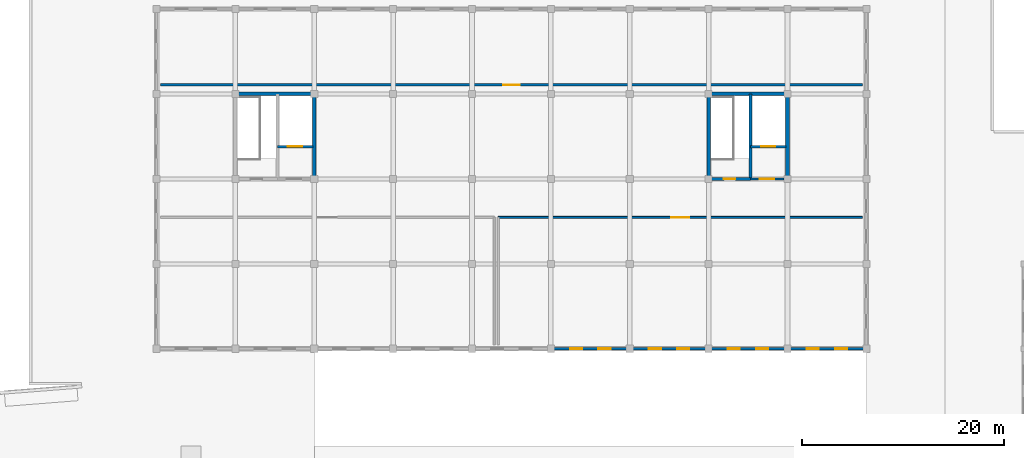
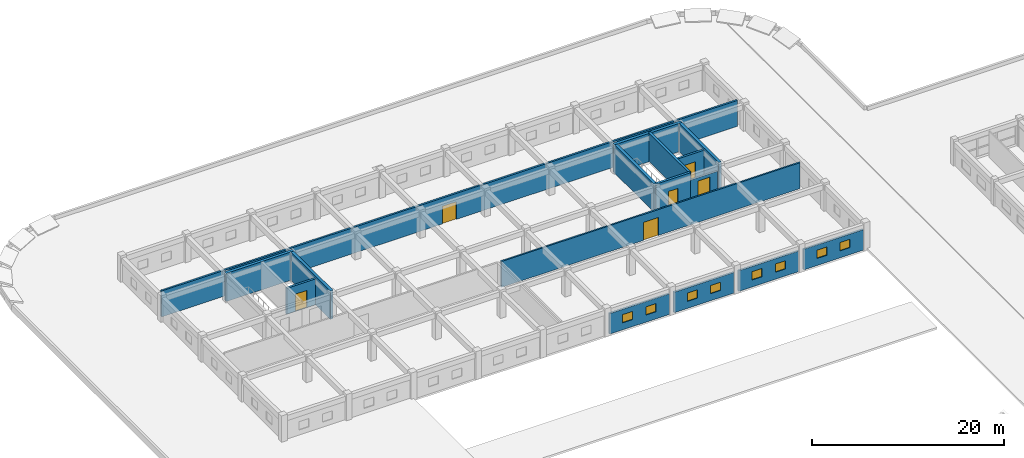
# One storey, part 93 of 101: 16 walls, 8 windows, 6 doors, 14 openings.
"""IFC4 building model written with IfcOpenShell, lengths in metres."""

from ifc_helpers import new_model, si_unit, direction, frame, frame_2d, origin, place, context, subcontext, project, spatial, rectangle, extrude, material, layer, layer_set, type_object, element, fill, save


model = new_model("IFC4")

# Units and contexts
model_context = context("Model", 3, precision=1e-05, world=origin(), true_north=direction((0.0, 1.0)))
body_context = subcontext(model_context, "Body", "Model", "MODEL_VIEW")
ifc_project = project(units=[si_unit("LENGTHUNIT", "METRE"), si_unit("AREAUNIT", "SQUARE_METRE"), si_unit("VOLUMEUNIT", "CUBIC_METRE"), si_unit("PLANEANGLEUNIT", "RADIAN"), si_unit("MASSUNIT", "GRAM", prefix="KILO")], contexts=[model_context])

# Site, building, storey
site_placement = place(None, origin())
site = spatial("IfcSite", under=ifc_project, at=site_placement, CompositionType="ELEMENT")
building_placement = place(site_placement, origin())
building = spatial("IfcBuilding", under=site, at=building_placement, Name="Zizhar Promenade General Hospital", CompositionType="ELEMENT")
storey_placement = place(building_placement, frame((0.0, 0.0, 14.39990234375)))
storey = spatial("IfcBuildingStorey", under=building, at=storey_placement, Name="L03", CompositionType="ELEMENT", Elevation=14.39990234375)

# Wall, openings, windows
ifc_material_1 = material(Name="Precast concrete C40/50", Category="concrete")
ifc_layer_1 = layer(ifc_material_1, 0.22509765625)
ifc_layer_set_1 = layer_set([ifc_layer_1], Name="Precast concrete C40/50")
wall_type_1 = type_object("IfcWallType", Name="EW-INT-225", PredefinedType="STANDARD", material=ifc_layer_set_1)
wall_1_placement = place(storey_placement, frame((101.110107421875, 92.39990234375, 0.0), z_axis=(0.0, 0.0, 1.0), x_axis=(-1.0, 0.0, 0.0)))
wall_1 = element("IfcWall", 1, at=wall_1_placement, inside=storey, type_object=wall_type_1, Name="Surgical Interstitial South Wall 12", PredefinedType="STANDARD", context=body_context, shape_type="SweptSolid", body=[
    extrude(rectangle(XDim=7.22021484375, YDim=0.22509765625, at=frame_2d((3.610107421875, 0.0))), origin(), (0.0, 0.0, 1.0), 2.6201171875),
])
opening_1_placement = place(wall_1_placement, frame((1.606689453125, 0.0, 0.89990234375)))
opening_1 = element("IfcOpeningElement", 2, at=opening_1_placement, cuts=wall_1, Name="Opening W-15", PredefinedType="OPENING", context=body_context, shape_type="SweptSolid", body=[
    extrude(rectangle(XDim=1.199951171875, YDim=1.050048828125, at=frame_2d((0.60009765625, 0.52490234375))), frame((0.0, 0.12255859375, 0.0), z_axis=(0.0, -1.0, 0.0), x_axis=(1.0, 0.0, 0.0)), (0.0, 0.0, 1.0), 0.2451171875),
])
opening_2_placement = place(wall_1_placement, frame((4.413330078125, 0.0, 0.89990234375)))
opening_2 = element("IfcOpeningElement", 3, at=opening_2_placement, cuts=wall_1, Name="Opening W-15", PredefinedType="OPENING", context=body_context, shape_type="SweptSolid", body=[
    extrude(rectangle(XDim=1.199951171875, YDim=1.050048828125, at=frame_2d((0.60009765625, 0.52490234375))), frame((0.0, 0.12255859375, 0.0), z_axis=(0.0, -1.0, 0.0), x_axis=(1.0, 0.0, 0.0)), (0.0, 0.0, 1.0), 0.2451171875),
])
ifc_material_2 = material(Name="Anodised aluminium 6063-T6 and low-E glass", Category="aluminium")
window_type = type_object("IfcWindowType", Name="WIN-INT-120x105", PartitioningType="SINGLE_PANEL", PredefinedType="WINDOW", material=ifc_material_2)
window_1_placement = place(opening_1_placement, origin())
window_1 = element("IfcWindow", 4, at=window_1_placement, inside=storey, type_object=window_type, Name="Surgical Interstitial South Wall 12 Window 1", OverallHeight=1.050048828125, OverallWidth=1.199951171875, PartitioningType="SINGLE_PANEL", PredefinedType="WINDOW", context=body_context, shape_type="SweptSolid", body=[
    extrude(rectangle(XDim=1.199951171875, YDim=1.050048828125, at=frame_2d((0.60009765625, 0.52490234375))), frame((0.0, 0.030029296875, 0.0), z_axis=(0.0, -1.0, 0.0), x_axis=(1.0, 0.0, 0.0)), (0.0, 0.0, 1.0), 0.06005859375),
])
fill(opening_1, window_1)
window_2_placement = place(opening_2_placement, origin())
window_2 = element("IfcWindow", 5, at=window_2_placement, inside=storey, type_object=window_type, Name="Surgical Interstitial South Wall 12 Window 2", OverallHeight=1.050048828125, OverallWidth=1.199951171875, PartitioningType="SINGLE_PANEL", PredefinedType="WINDOW", context=body_context, shape_type="SweptSolid", body=[
    extrude(rectangle(XDim=1.199951171875, YDim=1.050048828125, at=frame_2d((0.60009765625, 0.52490234375))), frame((0.0, 0.030029296875, 0.0), z_axis=(0.0, -1.0, 0.0), x_axis=(1.0, 0.0, 0.0)), (0.0, 0.0, 1.0), 0.06005859375),
])
fill(opening_2, window_2)

wall_2_placement = place(storey_placement, frame((108.909912109375, 92.39990234375, 0.0), z_axis=(0.0, 0.0, 1.0), x_axis=(-1.0, 0.0, 0.0)))
wall_2 = element("IfcWall", 6, at=wall_2_placement, inside=storey, type_object=wall_type_1, Name="Surgical Interstitial South Wall 13", PredefinedType="STANDARD", context=body_context, shape_type="SweptSolid", body=[
    extrude(rectangle(XDim=7.219970703125, YDim=0.22509765625, at=frame_2d((3.60986328125, 0.0))), origin(), (0.0, 0.0, 1.0), 2.6201171875),
])
opening_3_placement = place(wall_2_placement, frame((1.606689453125, 0.0, 0.89990234375)))
opening_3 = element("IfcOpeningElement", 7, at=opening_3_placement, cuts=wall_2, Name="Opening W-15", PredefinedType="OPENING", context=body_context, shape_type="SweptSolid", body=[
    extrude(rectangle(XDim=1.199951171875, YDim=1.050048828125, at=frame_2d((0.60009765625, 0.52490234375))), frame((0.0, 0.12255859375, 0.0), z_axis=(0.0, -1.0, 0.0), x_axis=(1.0, 0.0, 0.0)), (0.0, 0.0, 1.0), 0.2451171875),
])
opening_4_placement = place(wall_2_placement, frame((4.413330078125, 0.0, 0.89990234375)))
opening_4 = element("IfcOpeningElement", 8, at=opening_4_placement, cuts=wall_2, Name="Opening W-15", PredefinedType="OPENING", context=body_context, shape_type="SweptSolid", body=[
    extrude(rectangle(XDim=1.199951171875, YDim=1.050048828125, at=frame_2d((0.60009765625, 0.52490234375))), frame((0.0, 0.12255859375, 0.0), z_axis=(0.0, -1.0, 0.0), x_axis=(1.0, 0.0, 0.0)), (0.0, 0.0, 1.0), 0.2451171875),
])
window_3_placement = place(opening_3_placement, origin())
window_3 = element("IfcWindow", 9, at=window_3_placement, inside=storey, type_object=window_type, Name="Surgical Interstitial South Wall 13 Window 1", OverallHeight=1.050048828125, OverallWidth=1.199951171875, PartitioningType="SINGLE_PANEL", PredefinedType="WINDOW", context=body_context, shape_type="SweptSolid", body=[
    extrude(rectangle(XDim=1.199951171875, YDim=1.050048828125, at=frame_2d((0.60009765625, 0.52490234375))), frame((0.0, 0.030029296875, 0.0), z_axis=(0.0, -1.0, 0.0), x_axis=(1.0, 0.0, 0.0)), (0.0, 0.0, 1.0), 0.06005859375),
])
fill(opening_3, window_3)
window_4_placement = place(opening_4_placement, origin())
window_4 = element("IfcWindow", 10, at=window_4_placement, inside=storey, type_object=window_type, Name="Surgical Interstitial South Wall 13 Window 2", OverallHeight=1.050048828125, OverallWidth=1.199951171875, PartitioningType="SINGLE_PANEL", PredefinedType="WINDOW", context=body_context, shape_type="SweptSolid", body=[
    extrude(rectangle(XDim=1.199951171875, YDim=1.050048828125, at=frame_2d((0.60009765625, 0.52490234375))), frame((0.0, 0.030029296875, 0.0), z_axis=(0.0, -1.0, 0.0), x_axis=(1.0, 0.0, 0.0)), (0.0, 0.0, 1.0), 0.06005859375),
])
fill(opening_4, window_4)

wall_3_placement = place(storey_placement, frame((116.7099609375, 92.39990234375, 0.0), z_axis=(0.0, 0.0, 1.0), x_axis=(-1.0, 0.0, 0.0)))
wall_3 = element("IfcWall", 11, at=wall_3_placement, inside=storey, type_object=wall_type_1, Name="Surgical Interstitial South Wall 14", PredefinedType="STANDARD", context=body_context, shape_type="SweptSolid", body=[
    extrude(rectangle(XDim=7.219970703125, YDim=0.22509765625, at=frame_2d((3.60986328125, 0.0))), origin(), (0.0, 0.0, 1.0), 2.6201171875),
])
opening_5_placement = place(wall_3_placement, frame((1.606689453125, 0.0, 0.89990234375)))
opening_5 = element("IfcOpeningElement", 12, at=opening_5_placement, cuts=wall_3, Name="Opening W-15", PredefinedType="OPENING", context=body_context, shape_type="SweptSolid", body=[
    extrude(rectangle(XDim=1.199951171875, YDim=1.050048828125, at=frame_2d((0.60009765625, 0.52490234375))), frame((0.0, 0.12255859375, 0.0), z_axis=(0.0, -1.0, 0.0), x_axis=(1.0, 0.0, 0.0)), (0.0, 0.0, 1.0), 0.2451171875),
])
opening_6_placement = place(wall_3_placement, frame((4.413330078125, 0.0, 0.89990234375)))
opening_6 = element("IfcOpeningElement", 13, at=opening_6_placement, cuts=wall_3, Name="Opening W-15", PredefinedType="OPENING", context=body_context, shape_type="SweptSolid", body=[
    extrude(rectangle(XDim=1.199951171875, YDim=1.050048828125, at=frame_2d((0.60009765625, 0.52490234375))), frame((0.0, 0.12255859375, 0.0), z_axis=(0.0, -1.0, 0.0), x_axis=(1.0, 0.0, 0.0)), (0.0, 0.0, 1.0), 0.2451171875),
])
window_5_placement = place(opening_5_placement, origin())
window_5 = element("IfcWindow", 14, at=window_5_placement, inside=storey, type_object=window_type, Name="Surgical Interstitial South Wall 14 Window 1", OverallHeight=1.050048828125, OverallWidth=1.199951171875, PartitioningType="SINGLE_PANEL", PredefinedType="WINDOW", context=body_context, shape_type="SweptSolid", body=[
    extrude(rectangle(XDim=1.199951171875, YDim=1.050048828125, at=frame_2d((0.60009765625, 0.52490234375))), frame((0.0, 0.030029296875, 0.0), z_axis=(0.0, -1.0, 0.0), x_axis=(1.0, 0.0, 0.0)), (0.0, 0.0, 1.0), 0.06005859375),
])
fill(opening_5, window_5)
window_6_placement = place(opening_6_placement, origin())
window_6 = element("IfcWindow", 15, at=window_6_placement, inside=storey, type_object=window_type, Name="Surgical Interstitial South Wall 14 Window 2", OverallHeight=1.050048828125, OverallWidth=1.199951171875, PartitioningType="SINGLE_PANEL", PredefinedType="WINDOW", context=body_context, shape_type="SweptSolid", body=[
    extrude(rectangle(XDim=1.199951171875, YDim=1.050048828125, at=frame_2d((0.60009765625, 0.52490234375))), frame((0.0, 0.030029296875, 0.0), z_axis=(0.0, -1.0, 0.0), x_axis=(1.0, 0.0, 0.0)), (0.0, 0.0, 1.0), 0.06005859375),
])
fill(opening_6, window_6)

wall_4_placement = place(storey_placement, frame((124.510009765625, 92.39990234375, 0.0), z_axis=(0.0, 0.0, 1.0), x_axis=(-1.0, 0.0, 0.0)))
wall_4 = element("IfcWall", 16, at=wall_4_placement, inside=storey, type_object=wall_type_1, Name="Surgical Interstitial South Wall 15", PredefinedType="STANDARD", context=body_context, shape_type="SweptSolid", body=[
    extrude(rectangle(XDim=7.219970703125, YDim=0.22509765625, at=frame_2d((3.60986328125, 0.0))), origin(), (0.0, 0.0, 1.0), 2.6201171875),
])
opening_7_placement = place(wall_4_placement, frame((1.606689453125, 0.0, 0.89990234375)))
opening_7 = element("IfcOpeningElement", 17, at=opening_7_placement, cuts=wall_4, Name="Opening W-15", PredefinedType="OPENING", context=body_context, shape_type="SweptSolid", body=[
    extrude(rectangle(XDim=1.199951171875, YDim=1.050048828125, at=frame_2d((0.60009765625, 0.52490234375))), frame((0.0, 0.12255859375, 0.0), z_axis=(0.0, -1.0, 0.0), x_axis=(1.0, 0.0, 0.0)), (0.0, 0.0, 1.0), 0.2451171875),
])
opening_8_placement = place(wall_4_placement, frame((4.413330078125, 0.0, 0.89990234375)))
opening_8 = element("IfcOpeningElement", 18, at=opening_8_placement, cuts=wall_4, Name="Opening W-15", PredefinedType="OPENING", context=body_context, shape_type="SweptSolid", body=[
    extrude(rectangle(XDim=1.199951171875, YDim=1.050048828125, at=frame_2d((0.60009765625, 0.52490234375))), frame((0.0, 0.12255859375, 0.0), z_axis=(0.0, -1.0, 0.0), x_axis=(1.0, 0.0, 0.0)), (0.0, 0.0, 1.0), 0.2451171875),
])
window_7_placement = place(opening_7_placement, origin())
window_7 = element("IfcWindow", 19, at=window_7_placement, inside=storey, type_object=window_type, Name="Surgical Interstitial South Wall 15 Window 1", OverallHeight=1.050048828125, OverallWidth=1.199951171875, PartitioningType="SINGLE_PANEL", PredefinedType="WINDOW", context=body_context, shape_type="SweptSolid", body=[
    extrude(rectangle(XDim=1.199951171875, YDim=1.050048828125, at=frame_2d((0.60009765625, 0.52490234375))), frame((0.0, 0.030029296875, 0.0), z_axis=(0.0, -1.0, 0.0), x_axis=(1.0, 0.0, 0.0)), (0.0, 0.0, 1.0), 0.06005859375),
])
fill(opening_7, window_7)
window_8_placement = place(opening_8_placement, origin())
window_8 = element("IfcWindow", 20, at=window_8_placement, inside=storey, type_object=window_type, Name="Surgical Interstitial South Wall 15 Window 2", OverallHeight=1.050048828125, OverallWidth=1.199951171875, PartitioningType="SINGLE_PANEL", PredefinedType="WINDOW", context=body_context, shape_type="SweptSolid", body=[
    extrude(rectangle(XDim=1.199951171875, YDim=1.050048828125, at=frame_2d((0.60009765625, 0.52490234375))), frame((0.0, 0.030029296875, 0.0), z_axis=(0.0, -1.0, 0.0), x_axis=(1.0, 0.0, 0.0)), (0.0, 0.0, 1.0), 0.06005859375),
])
fill(opening_8, window_8)

# Wall, opening, door
ifc_material_3 = material(Name="Concrete C35/45", Category="concrete")
ifc_layer_2 = layer(ifc_material_3, 0.215087890625)
ifc_layer_set_2 = layer_set([ifc_layer_2], Name="Concrete C35/45")
wall_type_2 = type_object("IfcWallType", Name="IW-LOBBY-215", PredefinedType="STANDARD", material=ifc_layer_set_2)
wall_5_placement = place(storey_placement, frame((113.35009765625, 109.199951171875, 0.0), z_axis=(0.0, 0.0, 1.0), x_axis=(1.0, 0.0, 0.0)))
wall_5 = element("IfcWall", 21, at=wall_5_placement, inside=storey, type_object=wall_type_2, Name="Core C7 Lift Lobby South Fire Wall (L03)", PredefinedType="STANDARD", context=body_context, shape_type="SweptSolid", body=[
    extrude(rectangle(XDim=3.289794921875, YDim=0.215087890625, at=frame_2d((1.64501953125, 0.0))), origin(), (0.0, 0.0, 1.0), 2.6201171875),
])
opening_9_placement = place(wall_5_placement, frame((0.925048828125, 0.0, 0.0)))
opening_9 = element("IfcOpeningElement", 22, at=opening_9_placement, cuts=wall_5, Name="Opening D-23", PredefinedType="OPENING", context=body_context, shape_type="SweptSolid", body=[
    extrude(rectangle(XDim=1.43994140625, YDim=2.199951171875, at=frame_2d((0.719970703125, 1.10009765625))), frame((0.0, 0.11767578125, 0.0), z_axis=(0.0, -1.0, 0.0), x_axis=(1.0, 0.0, 0.0)), (0.0, 0.0, 1.0), 0.235107421875),
])
ifc_material_4 = material(Name="Fire-rated timber lift lobby pair", Category="wood")
door_type_1 = type_object("IfcDoorType", Name="DR-LOBBY-PR-144x220", OperationType="DOUBLE_DOOR_SINGLE_SWING", PredefinedType="DOOR", material=ifc_material_4)
door_1_placement = place(opening_9_placement, origin())
door_1 = element("IfcDoor", 23, at=door_1_placement, inside=storey, type_object=door_type_1, Name="Core C7 Protected Lift Lobby Door (L03)", OperationType="DOUBLE_DOOR_SINGLE_SWING", OverallHeight=2.199951171875, OverallWidth=1.43994140625, PredefinedType="DOOR", context=body_context, shape_type="SweptSolid", body=[
    extrude(rectangle(XDim=1.43994140625, YDim=2.199951171875, at=frame_2d((0.719970703125, 1.10009765625))), frame((0.0, 0.02490234375, 0.0), z_axis=(0.0, -1.0, 0.0), x_axis=(1.0, 0.0, 0.0)), (0.0, 0.0, 1.0), 0.050048828125),
])
fill(opening_9, door_1)

ifc_material_5 = material(Name="Hygienic cleanroom aluminium-faced gypsum partition", Category="aluminium")
ifc_layer_3 = layer(ifc_material_5, 0.18994140625)
ifc_layer_set_3 = layer_set([ifc_layer_3], Name="Hygienic cleanroom aluminium-faced gypsum partition")
wall_type_3 = type_object("IfcWallType", Name="IW-OR-190", PredefinedType="PARTITIONING", material=ifc_layer_set_3)
wall_6_placement = place(storey_placement, frame((88.39990234375, 105.39990234375, 0.0), z_axis=(0.0, 0.0, 1.0), x_axis=(1.0, 0.0, 0.0)))
wall_6 = element("IfcWall", 24, at=wall_6_placement, inside=storey, type_object=wall_type_3, Name="Operating Theatre HEPA Laminar Air Plant East N Partition", PredefinedType="PARTITIONING", context=body_context, shape_type="SweptSolid", body=[
    extrude(rectangle(XDim=36.0, YDim=0.18994140625, at=frame_2d((18.0, 0.0))), origin(), (0.0, 0.0, 1.0), 3.300048828125),
])
opening_10_placement = place(wall_6_placement, frame((17.10009765625, 0.0, 0.0)))
opening_10 = element("IfcOpeningElement", 25, at=opening_10_placement, cuts=wall_6, Name="Opening D-03", PredefinedType="OPENING", context=body_context, shape_type="SweptSolid", body=[
    extrude(rectangle(XDim=1.800048828125, YDim=2.300048828125, at=frame_2d((0.89990234375, 1.14990234375))), frame((0.0, 0.10498046875, 0.0), z_axis=(0.0, -1.0, 0.0), x_axis=(1.0, 0.0, 0.0)), (0.0, 0.0, 1.0), 0.2099609375),
])
ifc_material_6 = material(Name="Anodised aluminium cleanroom hermetic leaf", Category="aluminium")
door_type_2 = type_object("IfcDoorType", Name="DR-OR-SLIDE-180x230", OperationType="SLIDING_TO_LEFT", PredefinedType="DOOR", material=ifc_material_6)
door_2_placement = place(opening_10_placement, origin())
door_2 = element("IfcDoor", 26, at=door_2_placement, inside=storey, type_object=door_type_2, Name="Operating Theatre HEPA Laminar Air Plant East Door", OperationType="SLIDING_TO_LEFT", OverallHeight=2.300048828125, OverallWidth=1.800048828125, PredefinedType="DOOR", context=body_context, shape_type="SweptSolid", body=[
    extrude(rectangle(XDim=1.800048828125, YDim=2.300048828125, at=frame_2d((0.89990234375, 1.14990234375))), frame((0.0, 0.02490234375, 0.0), z_axis=(0.0, -1.0, 0.0), x_axis=(1.0, 0.0, 0.0)), (0.0, 0.0, 1.0), 0.050048828125),
])
fill(opening_10, door_2)

ifc_material_7 = material(Name="Concrete block masonry C30/37", Category="masonry")
ifc_layer_4 = layer(ifc_material_7, 0.22998046875)
ifc_layer_set_4 = layer_set([ifc_layer_4], Name="Concrete block masonry C30/37")
wall_type_4 = type_object("IfcWallType", Name="IW-PLNT-230", PredefinedType="STANDARD", material=ifc_layer_set_4)
wall_7_placement = place(storey_placement, frame((55.0, 118.5, 0.0), z_axis=(0.0, 0.0, 1.0), x_axis=(1.0, 0.0, 0.0)))
wall_7 = element("IfcWall", 27, at=wall_7_placement, inside=storey, type_object=wall_type_4, Name="Surgical Exhaust Heat-Recovery and Steam Humidification Plant S Partition", PredefinedType="STANDARD", context=body_context, shape_type="SweptSolid", body=[
    extrude(rectangle(XDim=69.39990234375, YDim=0.22998046875, at=frame_2d((34.699951171875, 0.0))), origin(), (0.0, 0.0, 1.0), 3.300048828125),
])
opening_11_placement = place(wall_7_placement, frame((33.875, 0.0, 0.0)))
opening_11 = element("IfcOpeningElement", 28, at=opening_11_placement, cuts=wall_7, Name="Opening D-24", PredefinedType="OPENING", context=body_context, shape_type="SweptSolid", body=[
    extrude(rectangle(XDim=1.64990234375, YDim=2.25, at=frame_2d((0.824951171875, 1.125))), frame((0.0, 0.125, 0.0), z_axis=(0.0, -1.0, 0.0), x_axis=(1.0, 0.0, 0.0)), (0.0, 0.0, 1.0), 0.25),
])
ifc_material_8 = material(Name="Steel S355 acoustic plant pair", Category="steel")
door_type_3 = type_object("IfcDoorType", Name="DR-PLNT-165x225", OperationType="DOUBLE_DOOR_SINGLE_SWING", PredefinedType="DOOR", material=ifc_material_8)
door_3_placement = place(opening_11_placement, origin())
door_3 = element("IfcDoor", 29, at=door_3_placement, inside=storey, type_object=door_type_3, Name="Surgical Exhaust Heat-Recovery and Steam Humidification Plant Door", OperationType="DOUBLE_DOOR_SINGLE_SWING", OverallHeight=2.25, OverallWidth=1.64990234375, PredefinedType="DOOR", context=body_context, shape_type="SweptSolid", body=[
    extrude(rectangle(XDim=1.64990234375, YDim=2.25, at=frame_2d((0.824951171875, 1.125))), frame((0.0, 0.02490234375, 0.0), z_axis=(0.0, -1.0, 0.0), x_axis=(1.0, 0.0, 0.0)), (0.0, 0.0, 1.0), 0.050048828125),
])
fill(opening_11, door_3)

ifc_material_9 = material(Name="Concrete C35/45", Category="concrete")
ifc_layer_5 = layer(ifc_material_9, 0.25)
ifc_layer_set_5 = layer_set([ifc_layer_5], Name="Concrete C35/45")
wall_type_5 = type_object("IfcWallType", Name="IW-SHAFT-250", PredefinedType="STANDARD", material=ifc_layer_set_5)
wall_8_placement = place(storey_placement, frame((66.550048828125, 112.39990234375, 0.0), z_axis=(0.0, 0.0, 1.0), x_axis=(1.0, 0.0, 0.0)))
wall_8 = element("IfcWall", 30, at=wall_8_placement, inside=storey, type_object=wall_type_5, Name="Core C6 Lift Shaft Landing Wall (L03)", PredefinedType="STANDARD", context=body_context, shape_type="SweptSolid", body=[
    extrude(rectangle(XDim=3.5, YDim=0.25, at=frame_2d((1.75, 0.0))), origin(), (0.0, 0.0, 1.0), 3.300048828125),
])
opening_12_placement = place(wall_8_placement, frame((1.050048828125, 0.0, 0.0)))
opening_12 = element("IfcOpeningElement", 31, at=opening_12_placement, cuts=wall_8, Name="Opening LD-14", PredefinedType="OPENING", context=body_context, shape_type="SweptSolid", body=[
    extrude(rectangle(XDim=1.39990234375, YDim=2.199951171875, at=frame_2d((0.699951171875, 1.10009765625))), frame((0.0, 0.135009765625, 0.0), z_axis=(0.0, -1.0, 0.0), x_axis=(1.0, 0.0, 0.0)), (0.0, 0.0, 1.0), 0.27001953125),
])
ifc_material_10 = material(Name="Stainless Steel S355 hospital lift landing door", Category="steel")
door_type_4 = type_object("IfcDoorType", Name="DR-LIFT-LD14", OperationType="SLIDING_TO_LEFT", PredefinedType="DOOR", material=ifc_material_10)
door_4_placement = place(opening_12_placement, origin())
door_4 = element("IfcDoor", 32, at=door_4_placement, inside=storey, type_object=door_type_4, Name="Lift LG-01 Sliding Landing Door (L03)", OperationType="SLIDING_TO_LEFT", OverallHeight=2.199951171875, OverallWidth=1.39990234375, PredefinedType="DOOR", context=body_context, shape_type="SweptSolid", body=[
    extrude(rectangle(XDim=1.39990234375, YDim=2.199951171875, at=frame_2d((0.699951171875, 1.10009765625))), frame((0.0, 0.02490234375, 0.0), z_axis=(0.0, -1.0, 0.0), x_axis=(1.0, 0.0, 0.0)), (0.0, 0.0, 1.0), 0.050048828125),
])
fill(opening_12, door_4)

wall_9_placement = place(storey_placement, frame((113.35009765625, 112.39990234375, 0.0), z_axis=(0.0, 0.0, 1.0), x_axis=(1.0, 0.0, 0.0)))
wall_9 = element("IfcWall", 33, at=wall_9_placement, inside=storey, type_object=wall_type_5, Name="Core C7 Lift Shaft Landing Wall (L03)", PredefinedType="STANDARD", context=body_context, shape_type="SweptSolid", body=[
    extrude(rectangle(XDim=3.5, YDim=0.25, at=frame_2d((1.75, 0.0))), origin(), (0.0, 0.0, 1.0), 3.300048828125),
])
opening_13_placement = place(wall_9_placement, frame((1.050048828125, 0.0, 0.0)))
opening_13 = element("IfcOpeningElement", 34, at=opening_13_placement, cuts=wall_9, Name="Opening LD-14", PredefinedType="OPENING", context=body_context, shape_type="SweptSolid", body=[
    extrude(rectangle(XDim=1.39990234375, YDim=2.199951171875, at=frame_2d((0.699951171875, 1.10009765625))), frame((0.0, 0.135009765625, 0.0), z_axis=(0.0, -1.0, 0.0), x_axis=(1.0, 0.0, 0.0)), (0.0, 0.0, 1.0), 0.27001953125),
])
door_5_placement = place(opening_13_placement, origin())
door_5 = element("IfcDoor", 35, at=door_5_placement, inside=storey, type_object=door_type_4, Name="Lift LG-02 Sliding Landing Door (L03)", OperationType="SLIDING_TO_LEFT", OverallHeight=2.199951171875, OverallWidth=1.39990234375, PredefinedType="DOOR", context=body_context, shape_type="SweptSolid", body=[
    extrude(rectangle(XDim=1.39990234375, YDim=2.199951171875, at=frame_2d((0.699951171875, 1.10009765625))), frame((0.0, 0.02490234375, 0.0), z_axis=(0.0, -1.0, 0.0), x_axis=(1.0, 0.0, 0.0)), (0.0, 0.0, 1.0), 0.050048828125),
])
fill(opening_13, door_5)

ifc_material_11 = material(Name="Concrete C40/50", Category="concrete")
ifc_layer_6 = layer(ifc_material_11, 0.300048828125)
ifc_layer_set_6 = layer_set([ifc_layer_6], Name="Concrete C40/50")
wall_type_6 = type_object("IfcWallType", Name="WL-CORE-300", PredefinedType="SHEAR", material=ifc_layer_set_6)
wall_10_placement = place(storey_placement, frame((109.199951171875, 109.199951171875, 0.0), z_axis=(0.0, 0.0, 1.0), x_axis=(1.0, 0.0, 0.0)))
wall_10 = element("IfcWall", 36, at=wall_10_placement, inside=storey, type_object=wall_type_6, Name="Core C7 Stair South Fire Wall (L03)", PredefinedType="SHEAR", context=body_context, shape_type="SweptSolid", body=[
    extrude(rectangle(XDim=4.150146484375, YDim=0.300048828125, at=frame_2d((2.0751953125, 0.0))), origin(), (0.0, 0.0, 1.0), 3.60009765625),
])
opening_14_placement = place(wall_10_placement, frame((1.514892578125, 0.0, 0.0)))
opening_14 = element("IfcOpeningElement", 37, at=opening_14_placement, cuts=wall_10, Name="Opening D-21", PredefinedType="OPENING", context=body_context, shape_type="SweptSolid", body=[
    extrude(rectangle(XDim=1.1201171875, YDim=2.14990234375, at=frame_2d((0.56005859375, 1.074951171875))), frame((0.0, 0.16015625, 0.0), z_axis=(0.0, -1.0, 0.0), x_axis=(1.0, 0.0, 0.0)), (0.0, 0.0, 1.0), 0.320068359375),
])
ifc_material_12 = material(Name="Steel S355 protected stair door", Category="steel")
door_type_5 = type_object("IfcDoorType", Name="DR-STAIR-112x215", OperationType="NOTDEFINED", PredefinedType="DOOR", material=ifc_material_12)
door_6_placement = place(opening_14_placement, origin())
door_6 = element("IfcDoor", 38, at=door_6_placement, inside=storey, type_object=door_type_5, Name="Exit Stair ST-07 Door (L03)", OperationType="SINGLE_SWING_LEFT", OverallHeight=2.14990234375, OverallWidth=1.1201171875, PredefinedType="DOOR", context=body_context, shape_type="SweptSolid", body=[
    extrude(rectangle(XDim=1.1201171875, YDim=2.14990234375, at=frame_2d((0.56005859375, 1.074951171875))), frame((0.0, 0.02490234375, 0.0), z_axis=(0.0, -1.0, 0.0), x_axis=(1.0, 0.0, 0.0)), (0.0, 0.0, 1.0), 0.050048828125),
])
fill(opening_14, door_6)

# Walls
wall_11_placement = place(storey_placement, frame((113.35009765625, 109.199951171875, 0.0), z_axis=(0.0, 0.0, 1.0), x_axis=(0.0, 1.0, 0.0)))
element("IfcWall", 39, at=wall_11_placement, inside=storey, type_object=wall_type_6, Name="Core C7 Stair-Shaft Separation Wall (L03)", PredefinedType="SHEAR", context=body_context, shape_type="SweptSolid", body=[
    extrude(rectangle(XDim=8.400146484375, YDim=0.300048828125, at=frame_2d((4.2001953125, 0.0))), origin(), (0.0, 0.0, 1.0), 3.60009765625),
])
ifc_material_13 = material(Name="Concrete C40/50", Category="concrete")
ifc_layer_7 = layer(ifc_material_13, 0.35009765625)
ifc_layer_set_7 = layer_set([ifc_layer_7], Name="Concrete C40/50")
wall_type_7 = type_object("IfcWallType", Name="WL-CORE-350", PredefinedType="SHEAR", material=ifc_layer_set_7)
wall_12_placement = place(storey_placement, frame((62.22509765625, 117.60009765625, 0.0), z_axis=(0.0, 0.0, 1.0), x_axis=(1.0, 0.0, 0.0)))
element("IfcWall", 40, at=wall_12_placement, inside=storey, type_object=wall_type_7, Name="Core C6 North Shear Wall L03", PredefinedType="SHEAR", context=body_context, shape_type="SweptSolid", body=[
    extrude(rectangle(XDim=8.14990234375, YDim=0.35009765625, at=frame_2d((4.074951171875, 0.0))), origin(), (0.0, 0.0, 1.0), 3.60009765625),
])
wall_13_placement = place(storey_placement, frame((70.199951171875, 109.199951171875, 0.0), z_axis=(0.0, 0.0, 1.0), x_axis=(0.0, 1.0, 0.0)))
element("IfcWall", 41, at=wall_13_placement, inside=storey, type_object=wall_type_7, Name="Core C6 East Shear Wall L03", PredefinedType="SHEAR", context=body_context, shape_type="SweptSolid", body=[
    extrude(rectangle(XDim=8.400146484375, YDim=0.35009765625, at=frame_2d((4.2001953125, 0.0))), origin(), (0.0, 0.0, 1.0), 3.60009765625),
])
wall_14_placement = place(storey_placement, frame((109.02490234375, 117.60009765625, 0.0), z_axis=(0.0, 0.0, 1.0), x_axis=(1.0, 0.0, 0.0)))
element("IfcWall", 42, at=wall_14_placement, inside=storey, type_object=wall_type_7, Name="Core C7 North Shear Wall L03", PredefinedType="SHEAR", context=body_context, shape_type="SweptSolid", body=[
    extrude(rectangle(XDim=8.150146484375, YDim=0.35009765625, at=frame_2d((4.0751953125, 0.0))), origin(), (0.0, 0.0, 1.0), 3.60009765625),
])
for number, where, z_axis, x_axis, name in (
    (43, (109.199951171875, 109.199951171875, 0.0), (0.0, 0.0, 1.0), (0.0, 1.0, 0.0), "Core C7 West Shear Wall L03"),
    (44, (117.0, 109.199951171875, 0.0), (0.0, 0.0, 1.0), (0.0, 1.0, 0.0), "Core C7 East Shear Wall L03"),
):
    element("IfcWall", number, at=place(storey_placement, frame(where, z_axis=z_axis, x_axis=x_axis)), inside=storey, type_object=wall_type_7, Name=name, PredefinedType="SHEAR", context=body_context, shape_type="SweptSolid", body=[
        extrude(rectangle(XDim=8.400146484375, YDim=0.35009765625, at=frame_2d((4.2001953125, 0.0))), origin(), (0.0, 0.0, 1.0), 3.60009765625),
    ])

save(model, "model.ifc")
